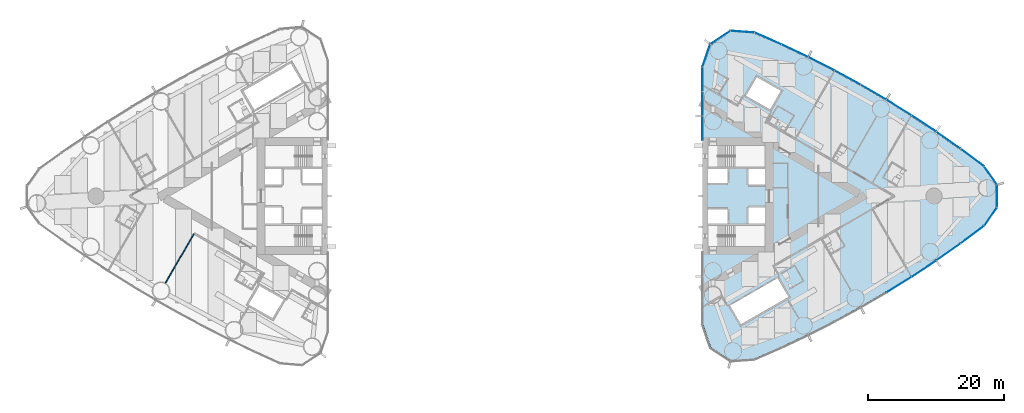
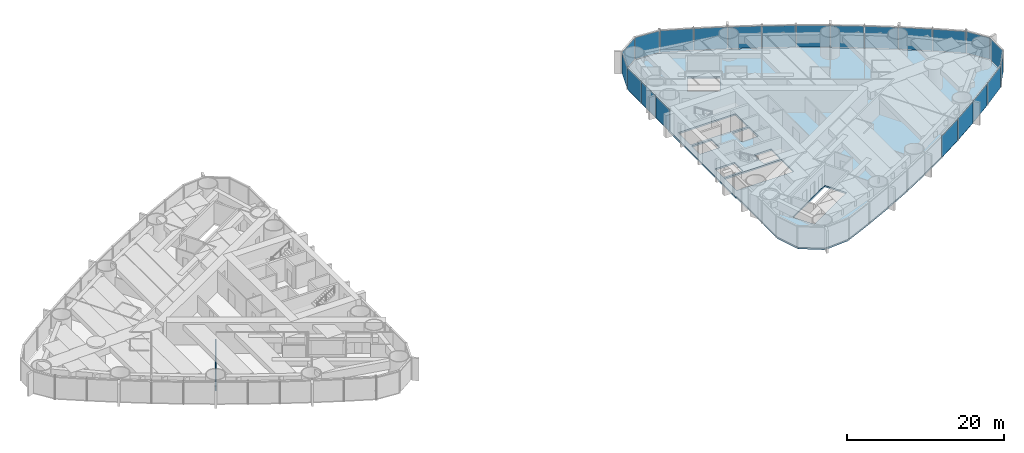
# One storey, part 10 of 18: 22 plates, 1 slab, 1 wall, 1 element without a shape of its own.
"""IFC4 building model written with IfcOpenShell, lengths in metres."""

from ifc_helpers import new_model, si_unit, direction, frame, frame_2d, origin, origin_2d, place, context, subcontext, project, spatial, polyline, rectangle, outline, extrude, material, layer, layer_set, type_object, element, aggregate, save


model = new_model("IFC4")

# Units and contexts
model_context = context("Model", 3, precision=1e-05, world=origin(), true_north=direction((0.0, 1.0)))
body_context = subcontext(model_context, "Body", "Model", "MODEL_VIEW")
ifc_project = project(units=[si_unit("LENGTHUNIT", "METRE"), si_unit("AREAUNIT", "SQUARE_METRE"), si_unit("VOLUMEUNIT", "CUBIC_METRE"), si_unit("PLANEANGLEUNIT", "RADIAN"), si_unit("MASSUNIT", "GRAM", prefix="KILO")], contexts=[model_context])

# Site, building, storey
site_placement = place(None, origin())
site = spatial("IfcSite", under=ifc_project, at=site_placement, CompositionType="ELEMENT")
building_placement = place(site_placement, origin())
building = spatial("IfcBuilding", under=site, at=building_placement, Name="Lancet Gate Hotel", CompositionType="ELEMENT")
storey_placement = place(building_placement, frame((0.0, 0.0, 139.60009765625)))
storey = spatial("IfcBuildingStorey", under=building, at=storey_placement, Name="L37", CompositionType="ELEMENT", Elevation=139.60009765625)

# Slab
ifc_material_1 = material(Name="Concrete C50/60", Category="concrete")
ifc_layer_1 = layer(ifc_material_1, 0.25)
ifc_layer_set_1 = layer_set([ifc_layer_1], Name="Floor slab 250")
slab_type = type_object("IfcSlabType", Name="Floor slab 250", PredefinedType="FLOOR", material=ifc_layer_set_1)
slab_placement = place(storey_placement, frame((0.0, 0.0, -0.25)))
element("IfcSlab", 1, at=slab_placement, inside=storey, type_object=slab_type, Name="T2 L37 floor slab", PredefinedType="FLOOR", context=body_context, shape_type="SweptSolid", body=[
    extrude(outline(polyline([(27.5, -8.60009765625), (27.6201171875, -8.60009765625), (27.6201171875, -18.923095703125), (28.7451171875, -22.22412109375), (31.63427734375, -24.1396484375), (35.112060546875, -23.890869140625), (39.0712890625, -22.150634765625), (42.996826171875, -20.29052734375), (46.867919921875, -18.31982421875), (50.681640625, -16.23974609375), (54.4345703125, -14.052490234375), (58.123779296875, -11.75927734375), (61.74658203125, -9.362548828125), (65.2998046875, -6.863525390625), (68.7666015625, -4.275390625), (70.627197265625, -1.6142578125), (70.627197265625, 1.6142578125), (68.7666015625, 4.275390625), (65.2998046875, 6.863525390625), (61.74658203125, 9.362548828125), (58.123779296875, 11.75927734375), (54.4345703125, 14.052490234375), (50.681640625, 16.23974609375), (46.867919921875, 18.31982421875), (42.996826171875, 20.29052734375), (39.0712890625, 22.150634765625), (35.112060546875, 23.890869140625), (31.63427734375, 24.1396484375), (28.7451171875, 22.22412109375), (27.6201171875, 18.923095703125), (27.6201171875, 8.60009765625), (27.5, 8.60009765625), (27.5, 8.199951171875), (27.5, -8.199951171875), (27.5, -8.60009765625)]), holes=[polyline([(36.699951171875, -7.39990234375), (36.699951171875, -4.300048828125), (28.300048828125, -4.300048828125), (28.300048828125, -7.39990234375), (36.699951171875, -7.39990234375)]), polyline([(28.300048828125, -4.0), (31.199951171875, -4.0), (31.199951171875, -1.89990234375), (28.300048828125, -1.89990234375), (28.300048828125, -4.0)]), polyline([(34.25, -4.0), (36.699951171875, -4.0), (36.699951171875, -1.64990234375), (34.25, -1.64990234375), (34.25, -4.0)]), polyline([(36.699951171875, 1.64990234375), (36.699951171875, 4.0), (34.25, 4.0), (34.25, 1.64990234375), (36.699951171875, 1.64990234375)]), polyline([(28.300048828125, 1.89990234375), (31.199951171875, 1.89990234375), (31.199951171875, 4.0), (28.300048828125, 4.0), (28.300048828125, 1.89990234375)]), polyline([(28.300048828125, 4.300048828125), (36.699951171875, 4.300048828125), (36.699951171875, 7.39990234375), (28.300048828125, 7.39990234375), (28.300048828125, 4.300048828125)]), polyline([(31.549072265625, -16.0810546875), (33.14892578125, -18.85205078125), (40.1640625, -14.802001953125), (38.56396484375, -12.031005859375), (31.549072265625, -16.0810546875)]), polyline([(33.887939453125, 14.73095703125), (37.43798828125, 12.680908203125), (39.0380859375, 15.451904296875), (35.488037109375, 17.501953125), (33.887939453125, 14.73095703125)])]), origin(), (0.0, 0.0, 1.0), 0.25),
])

# Curtain wall, plates
ifc_material_2 = material(Name="Aluminium curtain wall", Category="aluminium")
curtain_wall_type = type_object("IfcCurtainWallType", Name="Tower unitised curtain wall", PredefinedType="USERDEFINED", material=ifc_material_2)
curtain_wall_placement = place(storey_placement, origin())
curtain_wall = element("IfcCurtainWall", 2, at=curtain_wall_placement, inside=storey, type_object=curtain_wall_type, Name="T2 L37 curtain wall 1", ObjectType="UNITISED CURTAIN WALL", PredefinedType="USERDEFINED")
ifc_material_3 = material(Name="Glass double glazed unit 8-16-6", Category="glass")
ifc_layer_2 = layer(ifc_material_3, 0.030029296875)
ifc_layer_set_2 = layer_set([ifc_layer_2], Name="Vision panel double glazed")
plate_type = type_object("IfcPlateType", Name="Vision panel double glazed", PredefinedType="CURTAIN_PANEL", material=ifc_layer_set_2)
plate_1_placement = place(storey_placement, frame((56.342529296875, -13.0078125, -0.000244140625), z_axis=(0.0, 0.0, 1.0), x_axis=(0.849317759497, 0.527881940781, 0.0)))
plate_1 = element("IfcPlate", 3, at=plate_1_placement, type_object=plate_type, Name="T2 L37 curtain wall 1 panel 12", PredefinedType="CURTAIN_PANEL", context=body_context, shape_type="SweptSolid", body=[
    extrude(rectangle(XDim=4.2822265625, YDim=0.030029296875, at=origin_2d()), origin(), (0.0, 0.0, 1.0), 3.35009765625),
])
plate_2_placement = place(storey_placement, frame((60.00146484375, -10.660888671875, -0.000244140625), z_axis=(0.0, 0.0, 1.0), x_axis=(0.83398495346, 0.551787184885, 0.0)))
plate_2 = element("IfcPlate", 4, at=plate_2_placement, type_object=plate_type, Name="T2 L37 curtain wall 1 panel 13", PredefinedType="CURTAIN_PANEL", context=body_context, shape_type="SweptSolid", body=[
    extrude(rectangle(XDim=4.2822265625, YDim=0.030029296875, at=origin_2d()), origin(), (0.0, 0.0, 1.0), 3.35009765625),
])
plate_3_placement = place(storey_placement, frame((63.59228515625, -8.211181640625, -0.000244140625), z_axis=(0.0, 0.0, 1.0), x_axis=(0.817979492167, 0.57524738191, 0.0)))
plate_3 = element("IfcPlate", 5, at=plate_3_placement, type_object=plate_type, Name="T2 L37 curtain wall 1 panel 14", PredefinedType="CURTAIN_PANEL", context=body_context, shape_type="SweptSolid", body=[
    extrude(rectangle(XDim=4.2822265625, YDim=0.030029296875, at=origin_2d()), origin(), (0.0, 0.0, 1.0), 3.35009765625),
])
plate_4_placement = place(storey_placement, frame((67.112060546875, -5.660400390625, -0.000244140625), z_axis=(0.0, 0.0, 1.0), x_axis=(0.801314284905, 0.598243609917, 0.0)))
plate_4 = element("IfcPlate", 6, at=plate_4_placement, type_object=plate_type, Name="T2 L37 curtain wall 1 panel 15", PredefinedType="CURTAIN_PANEL", context=body_context, shape_type="SweptSolid", body=[
    extrude(rectangle(XDim=4.2822265625, YDim=0.030029296875, at=origin_2d()), origin(), (0.0, 0.0, 1.0), 3.35009765625),
])
plate_5_placement = place(storey_placement, frame((69.800537109375, -3.006103515625, -0.000244140625), z_axis=(0.0, 0.0, 1.0), x_axis=(0.573025075425, 0.819537834962, 0.0)))
plate_5 = element("IfcPlate", 7, at=plate_5_placement, type_object=plate_type, Name="T2 L37 curtain wall 1 panel 16", PredefinedType="CURTAIN_PANEL", context=body_context, shape_type="SweptSolid", body=[
    extrude(rectangle(XDim=3.2392578125, YDim=0.030029296875, at=origin_2d()), origin(), (0.0, 0.0, 1.0), 3.35009765625),
])
plate_6_placement = place(storey_placement, frame((70.747314453125, 0.0, -0.000244140625), z_axis=(0.0, 0.0, 1.0), x_axis=(0.0, 1.0, 0.0)))
plate_6 = element("IfcPlate", 8, at=plate_6_placement, type_object=plate_type, Name="T2 L37 curtain wall 1 panel 17", PredefinedType="CURTAIN_PANEL", context=body_context, shape_type="SweptSolid", body=[
    extrude(rectangle(XDim=3.2392578125, YDim=0.030029296875, at=origin_2d()), origin(), (0.0, 0.0, 1.0), 3.35009765625),
])
plate_7_placement = place(storey_placement, frame((69.800537109375, 3.006103515625, -0.000244140625), z_axis=(0.0, 0.0, 1.0), x_axis=(-0.573025075425, 0.819537834962, 0.0)))
plate_7 = element("IfcPlate", 9, at=plate_7_placement, type_object=plate_type, Name="T2 L37 curtain wall 1 panel 18", PredefinedType="CURTAIN_PANEL", context=body_context, shape_type="SweptSolid", body=[
    extrude(rectangle(XDim=3.2392578125, YDim=0.030029296875, at=origin_2d()), origin(), (0.0, 0.0, 1.0), 3.35009765625),
])
plate_8_placement = place(storey_placement, frame((67.112060546875, 5.660400390625, -0.000244140625), z_axis=(0.0, 0.0, 1.0), x_axis=(-0.801314284905, 0.598243609917, 0.0)))
plate_8 = element("IfcPlate", 10, at=plate_8_placement, type_object=plate_type, Name="T2 L37 curtain wall 1 panel 19", PredefinedType="CURTAIN_PANEL", context=body_context, shape_type="SweptSolid", body=[
    extrude(rectangle(XDim=4.2822265625, YDim=0.030029296875, at=origin_2d()), origin(), (0.0, 0.0, 1.0), 3.35009765625),
])
plate_9_placement = place(storey_placement, frame((63.59228515625, 8.211181640625, -0.000244140625), z_axis=(0.0, 0.0, 1.0), x_axis=(-0.817979492167, 0.57524738191, 0.0)))
plate_9 = element("IfcPlate", 11, at=plate_9_placement, type_object=plate_type, Name="T2 L37 curtain wall 1 panel 20", PredefinedType="CURTAIN_PANEL", context=body_context, shape_type="SweptSolid", body=[
    extrude(rectangle(XDim=4.2822265625, YDim=0.030029296875, at=origin_2d()), origin(), (0.0, 0.0, 1.0), 3.35009765625),
])
plate_10_placement = place(storey_placement, frame((60.00146484375, 10.660888671875, -0.000244140625), z_axis=(0.0, 0.0, 1.0), x_axis=(-0.83398495346, 0.551787184885, 0.0)))
plate_10 = element("IfcPlate", 12, at=plate_10_placement, type_object=plate_type, Name="T2 L37 curtain wall 1 panel 21", PredefinedType="CURTAIN_PANEL", context=body_context, shape_type="SweptSolid", body=[
    extrude(rectangle(XDim=4.2822265625, YDim=0.030029296875, at=origin_2d()), origin(), (0.0, 0.0, 1.0), 3.35009765625),
])
plate_11_placement = place(storey_placement, frame((56.342529296875, 13.0078125, -0.000244140625), z_axis=(0.0, 0.0, 1.0), x_axis=(-0.849317759497, 0.527881940781, 0.0)))
plate_11 = element("IfcPlate", 13, at=plate_11_placement, type_object=plate_type, Name="T2 L37 curtain wall 1 panel 22", PredefinedType="CURTAIN_PANEL", context=body_context, shape_type="SweptSolid", body=[
    extrude(rectangle(XDim=4.2822265625, YDim=0.030029296875, at=origin_2d()), origin(), (0.0, 0.0, 1.0), 3.35009765625),
])
plate_12_placement = place(storey_placement, frame((52.618408203125, 15.249755859375, -0.000244140625), z_axis=(0.0, 0.0, 1.0), x_axis=(-0.863965543499, 0.503550930538, 0.0)))
plate_12 = element("IfcPlate", 14, at=plate_12_placement, type_object=plate_type, Name="T2 L37 curtain wall 1 panel 23", PredefinedType="CURTAIN_PANEL", context=body_context, shape_type="SweptSolid", body=[
    extrude(rectangle(XDim=4.2822265625, YDim=0.030029296875, at=origin_2d()), origin(), (0.0, 0.0, 1.0), 3.35009765625),
])
plate_13_placement = place(storey_placement, frame((48.832275390625, 17.38525390625, -0.000244140625), z_axis=(0.0, 0.0, 1.0), x_axis=(-0.877916491224, 0.478813778454, 0.0)))
plate_13 = element("IfcPlate", 15, at=plate_13_placement, type_object=plate_type, Name="T2 L37 curtain wall 1 panel 24", PredefinedType="CURTAIN_PANEL", context=body_context, shape_type="SweptSolid", body=[
    extrude(rectangle(XDim=4.2822265625, YDim=0.030029296875, at=origin_2d()), origin(), (0.0, 0.0, 1.0), 3.35009765625),
])
plate_14_placement = place(storey_placement, frame((44.98681640625, 19.412109375, -0.000244140625), z_axis=(0.0, 0.0, 1.0), x_axis=(-0.891159350462, 0.453690436403, 0.0)))
plate_14 = element("IfcPlate", 16, at=plate_14_placement, type_object=plate_type, Name="T2 L37 curtain wall 1 panel 25", PredefinedType="CURTAIN_PANEL", context=body_context, shape_type="SweptSolid", body=[
    extrude(rectangle(XDim=4.2822265625, YDim=0.030029296875, at=origin_2d()), origin(), (0.0, 0.0, 1.0), 3.35009765625),
])
plate_15_placement = place(storey_placement, frame((41.08544921875, 21.3291015625, -0.000244140625), z_axis=(0.0, 0.0, 1.0), x_axis=(-0.903683440096, 0.428201167789, 0.0)))
plate_15 = element("IfcPlate", 17, at=plate_15_placement, type_object=plate_type, Name="T2 L37 curtain wall 1 panel 26", PredefinedType="CURTAIN_PANEL", context=body_context, shape_type="SweptSolid", body=[
    extrude(rectangle(XDim=4.2822265625, YDim=0.030029296875, at=origin_2d()), origin(), (0.0, 0.0, 1.0), 3.35009765625),
])
plate_16_placement = place(storey_placement, frame((37.13134765625, 23.13427734375, -0.000244140625), z_axis=(0.0, 0.0, 1.0), x_axis=(-0.915478658759, 0.40236653111, 0.0)))
plate_16 = element("IfcPlate", 18, at=plate_16_placement, type_object=plate_type, Name="T2 L37 curtain wall 1 panel 27", PredefinedType="CURTAIN_PANEL", context=body_context, shape_type="SweptSolid", body=[
    extrude(rectangle(XDim=4.2822265625, YDim=0.030029296875, at=origin_2d()), origin(), (0.0, 0.0, 1.0), 3.35009765625),
])
plate_17_placement = place(storey_placement, frame((33.37158203125, 24.1357421875, -0.000244140625), z_axis=(0.0, 0.0, 1.0), x_axis=(-0.997448492935, 0.07138980278, 0.0)))
plate_17 = element("IfcPlate", 19, at=plate_17_placement, type_object=plate_type, Name="T2 L37 curtain wall 1 panel 28", PredefinedType="CURTAIN_PANEL", context=body_context, shape_type="SweptSolid", body=[
    extrude(rectangle(XDim=3.4833984375, YDim=0.030029296875, at=origin_2d()), origin(), (0.0, 0.0, 1.0), 3.35009765625),
])
plate_18_placement = place(storey_placement, frame((30.123291015625, 23.281982421875, -0.000244140625), z_axis=(0.0, 0.0, 1.0), x_axis=(-0.833464516611, -0.552572981198, 0.0)))
plate_18 = element("IfcPlate", 20, at=plate_18_placement, type_object=plate_type, Name="T2 L37 curtain wall 1 panel 29", PredefinedType="CURTAIN_PANEL", context=body_context, shape_type="SweptSolid", body=[
    extrude(rectangle(XDim=3.4833984375, YDim=0.030029296875, at=origin_2d()), origin(), (0.0, 0.0, 1.0), 3.35009765625),
])
plate_19_placement = place(storey_placement, frame((28.072265625, 20.622314453125, -0.000244140625), z_axis=(0.0, 0.0, 1.0), x_axis=(-0.32257568891, -0.946543673015, 0.0)))
plate_19 = element("IfcPlate", 21, at=plate_19_placement, type_object=plate_type, Name="T2 L37 curtain wall 1 panel 30", PredefinedType="CURTAIN_PANEL", context=body_context, shape_type="SweptSolid", body=[
    extrude(rectangle(XDim=3.4833984375, YDim=0.030029296875, at=origin_2d()), origin(), (0.0, 0.0, 1.0), 3.35009765625),
])
plate_20_placement = place(storey_placement, frame((27.5, 17.15234375, -0.000244140625), z_axis=(0.0, 0.0, 1.0), x_axis=(0.0, -1.0, 0.0)))
plate_20 = element("IfcPlate", 22, at=plate_20_placement, type_object=plate_type, Name="T2 L37 curtain wall 1 panel 31", PredefinedType="CURTAIN_PANEL", context=body_context, shape_type="SweptSolid", body=[
    extrude(rectangle(XDim=3.515869140625, YDim=0.030029296875, at=origin_2d()), origin(), (0.0, 0.0, 1.0), 3.35009765625),
])
plate_21_placement = place(storey_placement, frame((27.5, 13.571533203125, -0.000244140625), z_axis=(0.0, 0.0, 1.0), x_axis=(0.0, -1.0, 0.0)))
plate_21 = element("IfcPlate", 23, at=plate_21_placement, type_object=plate_type, Name="T2 L37 curtain wall 1 panel 32", PredefinedType="CURTAIN_PANEL", context=body_context, shape_type="SweptSolid", body=[
    extrude(rectangle(XDim=3.515869140625, YDim=0.030029296875, at=origin_2d()), origin(), (0.0, 0.0, 1.0), 3.35009765625),
])
plate_22_placement = place(storey_placement, frame((27.5, 9.990478515625, -0.000244140625), z_axis=(0.0, 0.0, 1.0), x_axis=(0.0, -1.0, 0.0)))
plate_22 = element("IfcPlate", 24, at=plate_22_placement, type_object=plate_type, Name="T2 L37 curtain wall 1 panel 33", PredefinedType="CURTAIN_PANEL", context=body_context, shape_type="SweptSolid", body=[
    extrude(rectangle(XDim=3.515869140625, YDim=0.030029296875, at=origin_2d()), origin(), (0.0, 0.0, 1.0), 3.35009765625),
])
aggregate(curtain_wall, [plate_1, plate_2, plate_3, plate_4, plate_5, plate_6, plate_7, plate_8, plate_9, plate_10, plate_11, plate_12, plate_13, plate_14, plate_15, plate_16, plate_17, plate_18, plate_19, plate_20, plate_21, plate_22])

# Wall
ifc_material_4 = material(Name="Gypsum board partition")
ifc_layer_3 = layer(ifc_material_4, 0.14990234375)
ifc_layer_set_3 = layer_set([ifc_layer_3], Name="Party wall 150")
wall_type = type_object("IfcWallType", Name="Party wall 150", PredefinedType="PARTITIONING", material=ifc_layer_set_3)
wall_placement = place(storey_placement, frame((-47.151123046875, -5.552490234375, 0.0), z_axis=(0.0, 0.0, 1.0), x_axis=(-0.500003012045, -0.866023664773, 0.0)))
element("IfcWall", 25, at=wall_placement, inside=storey, type_object=wall_type, Name="T1 party wall 150 L37", PredefinedType="PARTITIONING", context=body_context, shape_type="SweptSolid", body=[
    extrude(rectangle(XDim=8.31103515625, YDim=0.14990234375, at=frame_2d((4.155517578125, 0.0))), origin(), (0.0, 0.0, 1.0), 2.199951171875),
])

save(model, "model.ifc")
